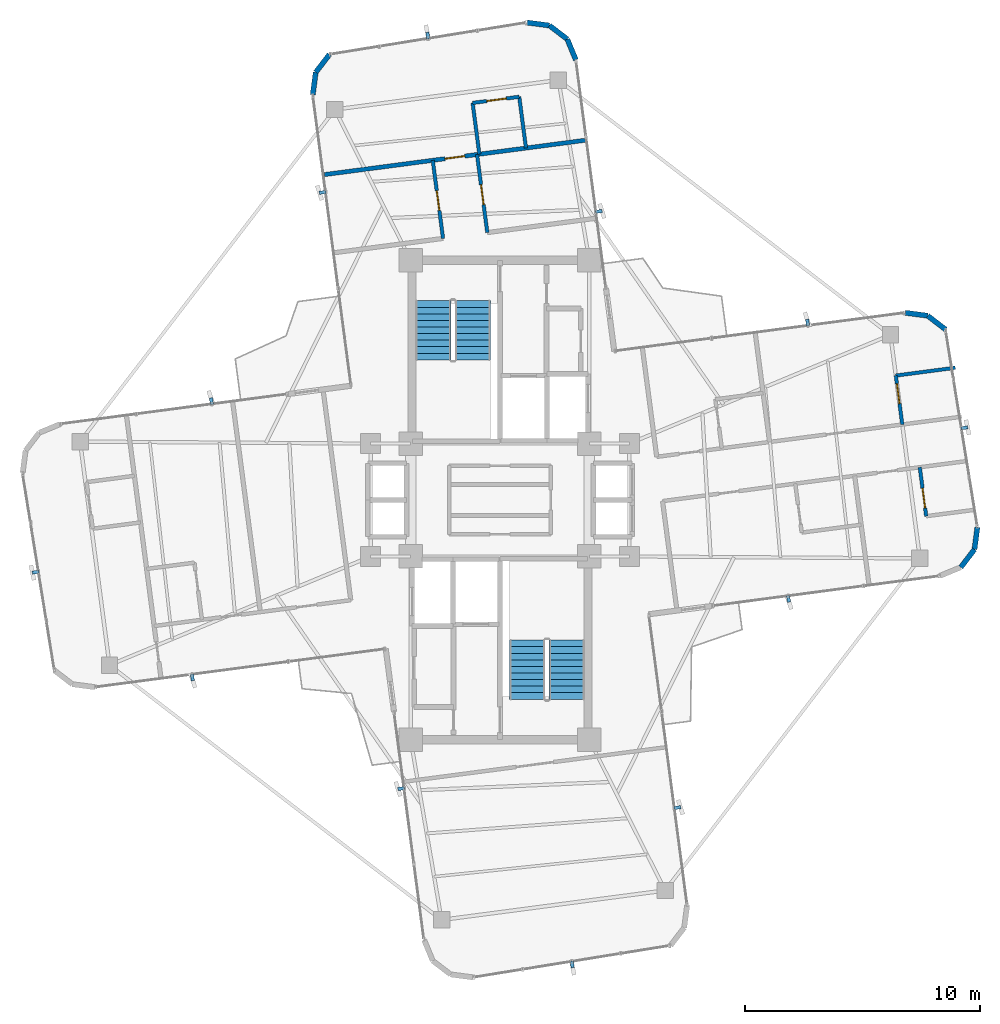
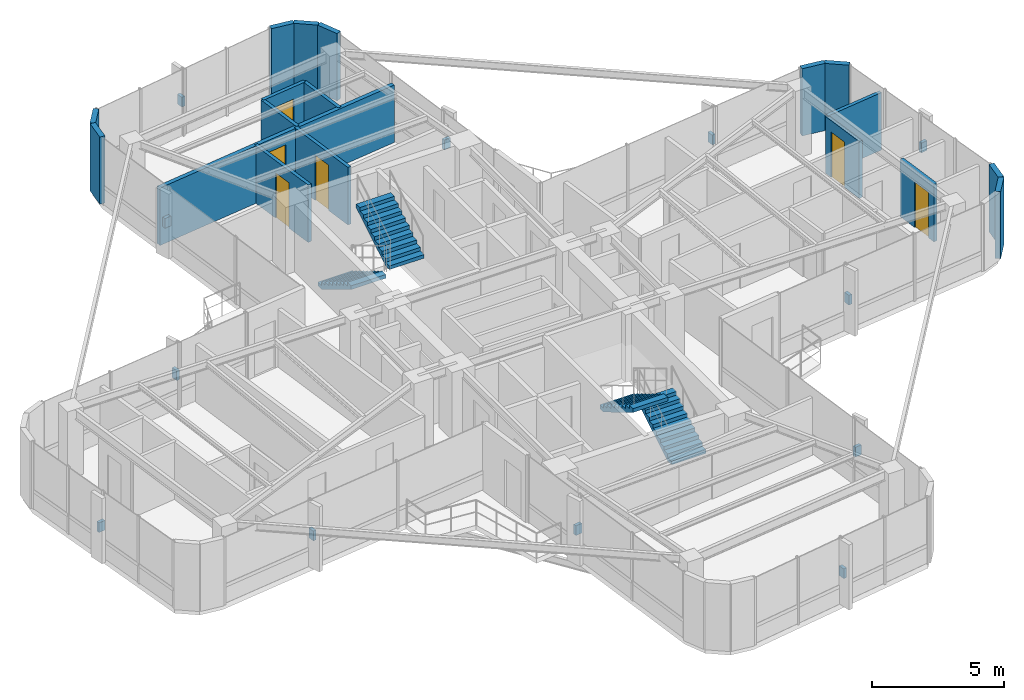
# One storey, part 20 of 21: 18 walls, 12 discrete accessories, 6 doors, 4 stair flights, 6 openings, 2 elements without a shape of their own.
"""IFC4 building model written with IfcOpenShell, lengths in metres."""

from ifc_helpers import new_model, si_unit, direction, frame, frame_2d, origin, origin_2d, place, context, subcontext, project, spatial, polyline, rectangle, outline, extrude, source, transform, mapped, material, layer, layer_set, type_object, element, fill, aggregate, save


model = new_model("IFC4")

# Units and contexts
model_context = context("Model", 3, precision=1e-05, world=origin(), true_north=direction((0.0, 1.0)))
body_context = subcontext(model_context, "Body", "Model", "MODEL_VIEW")
ifc_project = project(units=[si_unit("LENGTHUNIT", "METRE"), si_unit("AREAUNIT", "SQUARE_METRE"), si_unit("VOLUMEUNIT", "CUBIC_METRE"), si_unit("PLANEANGLEUNIT", "RADIAN"), si_unit("MASSUNIT", "GRAM", prefix="KILO")], contexts=[model_context])

# Site, building, storey
site_placement = place(None, origin())
site = spatial("IfcSite", under=ifc_project, at=site_placement, CompositionType="ELEMENT")
building_placement = place(site_placement, origin())
building = spatial("IfcBuilding", under=site, at=building_placement, Name="Sahyath Konkavel Grand Hotel", CompositionType="ELEMENT")
storey_placement = place(building_placement, frame((0.0, 0.0, 219.89990234375)))
storey = spatial("IfcBuildingStorey", under=building, at=storey_placement, Name="L61", CompositionType="ELEMENT", Elevation=219.89990234375)

# Walls
ifc_material_1 = material(Name="Warm Buff Sandstone Insulated Concrete C40/50", Category="masonry")
ifc_layer_1 = layer(ifc_material_1, 0.219970703125)
ifc_layer_set_1 = layer_set([ifc_layer_1], Name="Warm Buff Sandstone Insulated Concrete C40/50")
wall_type_1 = type_object("IfcWallType", Name="WLL-BALC-THRESH", PredefinedType="STANDARD", material=ifc_layer_set_1)
wall_1_placement = place(storey_placement, frame((19.603515625, -2.864013671875, 0.0), z_axis=(0.0, 0.0, 1.0), x_axis=(0.60865090536, 0.79343813584, 0.0)))
element("IfcWall", 1, at=wall_1_placement, inside=storey, type_object=wall_type_1, Name="L61 Rounded Corner Sandstone Pier 2", PredefinedType="STANDARD", context=body_context, shape_type="SweptSolid", body=[
    extrude(rectangle(XDim=0.957763671875, YDim=0.219970703125, at=frame_2d((0.47900390625, 0.0))), origin(), (0.0, 0.0, 1.0), 3.110107421875),
])
wall_2_placement = place(storey_placement, frame((20.1865234375, -2.10400390625, 0.0), z_axis=(0.0, 0.0, 1.0), x_axis=(0.13056005306, 0.991440402921, 0.0)))
element("IfcWall", 2, at=wall_2_placement, inside=storey, type_object=wall_type_1, Name="L61 Rounded Corner Sandstone Pier 3", PredefinedType="STANDARD", context=body_context, shape_type="SweptSolid", body=[
    extrude(rectangle(XDim=0.95751953125, YDim=0.219970703125, at=frame_2d((0.478759765625, 0.0))), origin(), (0.0, 0.0, 1.0), 3.110107421875),
])
for number, where, z_axis, x_axis, name in (
    (3, (18.9541015625, 7.257080078125, 0.0), (0.0, 0.0, 1.0), (-0.793343685778, 0.608774010809, 0.0), "L61 Rounded Corner Sandstone Pier 5"),
    (4, (18.1943359375, 7.840087890625, 0.0), (0.0, 0.0, 1.0), (-0.991444747987, 0.130527053476, 0.0), "L61 Rounded Corner Sandstone Pier 6"),
):
    element("IfcWall", number, at=place(storey_placement, frame(where, z_axis=z_axis, x_axis=x_axis)), inside=storey, type_object=wall_type_1, Name=name, PredefinedType="STANDARD", context=body_context, shape_type="SweptSolid", body=[
        extrude(rectangle(XDim=0.957763671875, YDim=0.219970703125, at=frame_2d((0.47900390625, 0.0))), origin(), (0.0, 0.0, 1.0), 3.110107421875),
    ])
wall_3_placement = place(storey_placement, frame((3.230224609375, 18.71875, 0.0), z_axis=(0.0, 0.0, 1.0), x_axis=(-0.382441868588, 0.923979554509, 0.0)))
element("IfcWall", 5, at=wall_3_placement, inside=storey, type_object=wall_type_1, Name="L61 Rounded Corner Sandstone Pier 9", PredefinedType="STANDARD", context=body_context, shape_type="SweptSolid", body=[
    extrude(rectangle(XDim=0.95751953125, YDim=0.219970703125, at=frame_2d((0.478759765625, 0.0))), origin(), (0.0, 0.0, 1.0), 3.110107421875),
])
wall_4_placement = place(storey_placement, frame((2.864013671875, 19.603515625, 0.0), z_axis=(0.0, 0.0, 1.0), x_axis=(-0.79343813584, 0.60865090536, 0.0)))
element("IfcWall", 6, at=wall_4_placement, inside=storey, type_object=wall_type_1, Name="L61 Rounded Corner Sandstone Pier 10", PredefinedType="STANDARD", context=body_context, shape_type="SweptSolid", body=[
    extrude(rectangle(XDim=0.957763671875, YDim=0.219970703125, at=frame_2d((0.47900390625, 0.0))), origin(), (0.0, 0.0, 1.0), 3.110107421875),
])
wall_5_placement = place(storey_placement, frame((2.10400390625, 20.1865234375, 0.0), z_axis=(0.0, 0.0, 1.0), x_axis=(-0.991440402921, 0.13056005306, 0.0)))
element("IfcWall", 7, at=wall_5_placement, inside=storey, type_object=wall_type_1, Name="L61 Rounded Corner Sandstone Pier 11", PredefinedType="STANDARD", context=body_context, shape_type="SweptSolid", body=[
    extrude(rectangle(XDim=0.95751953125, YDim=0.219970703125, at=frame_2d((0.478759765625, 0.0))), origin(), (0.0, 0.0, 1.0), 3.110107421875),
])
for number, where, z_axis, x_axis, name in (
    (8, (-7.257080078125, 18.9541015625, 0.0), (0.0, 0.0, 1.0), (-0.608774010809, -0.793343685778, 0.0), "L61 Rounded Corner Sandstone Pier 13"),
    (9, (-7.840087890625, 18.1943359375, 0.0), (0.0, 0.0, 1.0), (-0.130527053476, -0.991444747987, 0.0), "L61 Rounded Corner Sandstone Pier 14"),
):
    element("IfcWall", number, at=place(storey_placement, frame(where, z_axis=z_axis, x_axis=x_axis)), inside=storey, type_object=wall_type_1, Name=name, PredefinedType="STANDARD", context=body_context, shape_type="SweptSolid", body=[
        extrude(rectangle(XDim=0.957763671875, YDim=0.219970703125, at=frame_2d((0.47900390625, 0.0))), origin(), (0.0, 0.0, 1.0), 3.110107421875),
    ])

# Wall, opening, door
ifc_material_2 = material(Name="Twin-Stud Acoustic Gypsum Plasterboard Partition")
ifc_layer_2 = layer(ifc_material_2, 0.179931640625)
ifc_layer_set_2 = layer_set([ifc_layer_2], Name="Twin-Stud Acoustic Gypsum Plasterboard Partition")
wall_type_2 = type_object("IfcWallType", Name="WLL-DEMISE-180", PredefinedType="PARTITIONING", material=ifc_layer_set_2)
wall_6_placement = place(storey_placement, frame((3.62939453125, 15.3046875, 0.0), z_axis=(0.0, 0.0, 1.0), x_axis=(-0.991443749146, -0.130534640152, 0.0)))
wall_6 = element("IfcWall", 10, at=wall_6_placement, inside=storey, type_object=wall_type_2, Name="L61 Partition N-NTIP-END", PredefinedType="PARTITIONING", context=body_context, shape_type="SweptSolid", body=[
    extrude(rectangle(XDim=11.19189453125, YDim=0.179931640625, at=frame_2d((5.595947265625, 0.0))), origin(), (0.0, 0.0, 1.0), 2.66015625),
])
opening_1_placement = place(wall_6_placement, frame((5.1708984375, 0.0, 0.0)))
opening_1 = element("IfcOpeningElement", 11, at=opening_1_placement, cuts=wall_6, Name="Opening D-F06D", PredefinedType="OPENING", context=body_context, shape_type="SweptSolid", body=[
    extrude(rectangle(XDim=0.85009765625, YDim=2.10009765625, at=frame_2d((0.425048828125, 1.050048828125))), frame((0.0, 0.10009765625, 0.0), z_axis=(0.0, -1.0, 0.0), x_axis=(1.0, 0.0, 0.0)), (0.0, 0.0, 1.0), 0.199951171875),
])
ifc_material_3 = material(Name="Fire-Rated Shaft Access Door")
door_type_1 = type_object("IfcDoorType", Name="DR-FD60-850", OperationType="NOTDEFINED", PredefinedType="DOOR", material=ifc_material_3)
shared_shape_1 = source(origin(), body_context, "Body", "SweptSolid", [
    extrude(rectangle(XDim=0.85009765625, YDim=0.050048828125, at=origin_2d()), origin(), (0.0, 0.0, 1.0), 2.10009765625),
])
door_1_placement = place(opening_1_placement, frame((0.425048828125, 0.0, 0.0)))
door_1 = element("IfcDoor", 12, at=door_1_placement, inside=storey, type_object=door_type_1, Name="L61 Door N-NTIP-ED", OperationType="SINGLE_SWING_LEFT", OverallHeight=2.10009765625, OverallWidth=0.85009765625, PredefinedType="DOOR", context=body_context, shape_type="MappedRepresentation", body=[
    mapped(shared_shape_1, transform((0.0, 0.0, 0.0), scale=1.0)),
])
fill(opening_1, door_1)

ifc_material_4 = material(Name="Fire-Rated Gypsum Plasterboard Partition")
ifc_layer_3 = layer(ifc_material_4, 0.14990234375)
ifc_layer_set_3 = layer_set([ifc_layer_3], Name="Fire-Rated Gypsum Plasterboard Partition")
wall_type_3 = type_object("IfcWallType", Name="WLL-PART-150", PredefinedType="PARTITIONING", material=ifc_layer_set_3)
wall_7_placement = place(storey_placement, frame((17.1142578125, 3.211181640625, 0.0), z_axis=(0.0, 0.0, 1.0), x_axis=(-0.130541714651, 0.991442817683, 0.0)))
wall_7 = element("IfcWall", 13, at=wall_7_placement, inside=storey, type_object=wall_type_3, Name="L61 Partition E-E2L-BS", PredefinedType="PARTITIONING", context=body_context, shape_type="SweptSolid", body=[
    extrude(rectangle(XDim=2.100341796875, YDim=0.14990234375, at=frame_2d((1.05029296875, 0.0))), origin(), (0.0, 0.0, 1.0), 2.630126953125),
])
opening_2_placement = place(wall_7_placement, frame((0.89990234375, 0.0, 0.0)))
opening_2 = element("IfcOpeningElement", 14, at=opening_2_placement, cuts=wall_7, Name="Opening D-BT85", PredefinedType="OPENING", context=body_context, shape_type="SweptSolid", body=[
    extrude(rectangle(XDim=0.85009765625, YDim=2.10009765625, at=frame_2d((0.425048828125, 1.050048828125))), frame((0.0, 0.0849609375, 0.0), z_axis=(0.0, -1.0, 0.0), x_axis=(1.0, 0.0, 0.0)), (0.0, 0.0, 1.0), 0.169921875),
])
ifc_material_5 = material(Name="Moisture-Resistant Teak Bathroom Door")
door_type_2 = type_object("IfcDoorType", Name="DR-BATH-850", OperationType="NOTDEFINED", PredefinedType="DOOR", material=ifc_material_5)
door_2_placement = place(opening_2_placement, frame((0.425048828125, 0.0, 0.0)))
door_2 = element("IfcDoor", 15, at=door_2_placement, inside=storey, type_object=door_type_2, Name="L61 Door E-E2L-BD", OperationType="SINGLE_SWING_RIGHT", OverallHeight=2.10009765625, OverallWidth=0.85009765625, PredefinedType="DOOR", context=body_context, shape_type="MappedRepresentation", body=[
    mapped(shared_shape_1, transform((0.0, 0.0, 0.0), scale=1.0)),
])
fill(opening_2, door_2)

# Wall
wall_8_placement = place(storey_placement, frame((16.840087890625, 5.29345703125, 0.0), z_axis=(0.0, 0.0, 1.0), x_axis=(0.99144973294, 0.130489183661, 0.0)))
element("IfcWall", 16, at=wall_8_placement, inside=storey, type_object=wall_type_3, Name="L61 Partition E-E2L-BF", PredefinedType="PARTITIONING", context=body_context, shape_type="SweptSolid", body=[
    extrude(rectangle(XDim=2.550048828125, YDim=0.14990234375, at=frame_2d((1.27490234375, 0.0))), origin(), (0.0, 0.0, 1.0), 2.66015625),
])

# Wall, opening, door
wall_9_placement = place(storey_placement, frame((17.85791015625, 1.392822265625, 0.0), z_axis=(0.0, 0.0, 1.0), x_axis=(0.130556761174, -0.991440836415, 0.0)))
wall_9 = element("IfcWall", 17, at=wall_9_placement, inside=storey, type_object=wall_type_3, Name="L61 Partition E-E2R-BS", PredefinedType="PARTITIONING", context=body_context, shape_type="SweptSolid", body=[
    extrude(rectangle(XDim=2.10009765625, YDim=0.14990234375, at=frame_2d((1.050048828125, 0.0))), origin(), (0.0, 0.0, 1.0), 2.66015625),
])
opening_3_placement = place(wall_9_placement, frame((0.89990234375, 0.0, 0.0)))
opening_3 = element("IfcOpeningElement", 18, at=opening_3_placement, cuts=wall_9, Name="Opening D-BT85", PredefinedType="OPENING", context=body_context, shape_type="SweptSolid", body=[
    extrude(rectangle(XDim=0.85009765625, YDim=2.10009765625, at=frame_2d((0.425048828125, 1.050048828125))), frame((0.0, 0.0849609375, 0.0), z_axis=(0.0, -1.0, 0.0), x_axis=(1.0, 0.0, 0.0)), (0.0, 0.0, 1.0), 0.169921875),
])
door_3_placement = place(opening_3_placement, frame((0.425048828125, 0.0, 0.0)))
door_3 = element("IfcDoor", 19, at=door_3_placement, inside=storey, type_object=door_type_2, Name="L61 Door E-E2R-BD", OperationType="SINGLE_SWING_RIGHT", OverallHeight=2.10009765625, OverallWidth=0.85009765625, PredefinedType="DOOR", context=body_context, shape_type="MappedRepresentation", body=[
    mapped(shared_shape_1, transform((0.0, 0.0, 0.0), scale=1.0)),
])
fill(opening_3, door_3)

wall_10_placement = place(storey_placement, frame((-2.42333984375, 11.12890625, 0.0), z_axis=(0.0, 0.0, 1.0), x_axis=(-0.130526150873, 0.991444866817, 0.0)))
wall_10 = element("IfcWall", 20, at=wall_10_placement, inside=storey, type_object=wall_type_3, Name="L61 Partition N-CL", PredefinedType="PARTITIONING", context=body_context, shape_type="SweptSolid", body=[
    extrude(rectangle(XDim=3.349853515625, YDim=0.14990234375, at=frame_2d((1.6748046875, 0.0))), origin(), (0.0, 0.0, 1.0), 2.66015625),
])
opening_4_placement = place(wall_10_placement, frame((1.199951171875, 0.0, 0.0)))
opening_4 = element("IfcOpeningElement", 21, at=opening_4_placement, cuts=wall_10, Name="Opening D-F06D", PredefinedType="OPENING", context=body_context, shape_type="SweptSolid", body=[
    extrude(rectangle(XDim=0.85009765625, YDim=2.10009765625, at=frame_2d((0.425048828125, 1.050048828125))), frame((0.0, 0.0849609375, 0.0), z_axis=(0.0, -1.0, 0.0), x_axis=(1.0, 0.0, 0.0)), (0.0, 0.0, 1.0), 0.169921875),
])
door_4_placement = place(opening_4_placement, frame((0.425048828125, 0.0, 0.0)))
door_4 = element("IfcDoor", 22, at=door_4_placement, inside=storey, type_object=door_type_1, Name="L61 Door N-NS3L-D", OperationType="SINGLE_SWING_RIGHT", OverallHeight=2.10009765625, OverallWidth=0.85009765625, PredefinedType="DOOR", context=body_context, shape_type="MappedRepresentation", body=[
    mapped(shared_shape_1, transform((0.0, 0.0, 0.0), scale=1.0)),
])
fill(opening_4, door_4)

wall_11_placement = place(storey_placement, frame((-0.53955078125, 11.376953125, 0.0), z_axis=(0.0, 0.0, 1.0), x_axis=(-0.130526150873, 0.991444866817, 0.0)))
wall_11 = element("IfcWall", 23, at=wall_11_placement, inside=storey, type_object=wall_type_3, Name="L61 Partition N-CR", PredefinedType="PARTITIONING", context=body_context, shape_type="SweptSolid", body=[
    extrude(rectangle(XDim=3.349853515625, YDim=0.14990234375, at=frame_2d((1.6748046875, 0.0))), origin(), (0.0, 0.0, 1.0), 2.66015625),
])
opening_5_placement = place(wall_11_placement, frame((1.199951171875, 0.0, 0.0)))
opening_5 = element("IfcOpeningElement", 24, at=opening_5_placement, cuts=wall_11, Name="Opening D-F06D", PredefinedType="OPENING", context=body_context, shape_type="SweptSolid", body=[
    extrude(rectangle(XDim=0.85009765625, YDim=2.10009765625, at=frame_2d((0.425048828125, 1.050048828125))), frame((0.0, 0.0849609375, 0.0), z_axis=(0.0, -1.0, 0.0), x_axis=(1.0, 0.0, 0.0)), (0.0, 0.0, 1.0), 0.169921875),
])
door_5_placement = place(opening_5_placement, frame((0.425048828125, 0.0, 0.0)))
door_5 = element("IfcDoor", 25, at=door_5_placement, inside=storey, type_object=door_type_1, Name="L61 Door N-NS3R-D", OperationType="SINGLE_SWING_LEFT", OverallHeight=2.10009765625, OverallWidth=0.85009765625, PredefinedType="DOOR", context=body_context, shape_type="MappedRepresentation", body=[
    mapped(shared_shape_1, transform((0.0, 0.0, 0.0), scale=1.0)),
])
fill(opening_5, door_5)

# Walls
wall_12_placement = place(storey_placement, frame((-0.877685546875, 14.711181640625, 0.0), z_axis=(0.0, 0.0, 1.0), x_axis=(-0.130491827281, 0.991449384998, 0.0)))
element("IfcWall", 26, at=wall_12_placement, inside=storey, type_object=wall_type_3, Name="L61 Partition N-NTIP-BN", PredefinedType="PARTITIONING", context=body_context, shape_type="SweptSolid", body=[
    extrude(rectangle(XDim=2.2001953125, YDim=0.14990234375, at=frame_2d((1.10009765625, 0.0))), origin(), (0.0, 0.0, 1.0), 2.66015625),
])
wall_13_placement = place(storey_placement, frame((1.105224609375, 14.972412109375, 0.0), z_axis=(0.0, 0.0, 1.0), x_axis=(-0.130506184728, 0.991447495205, 0.0)))
element("IfcWall", 27, at=wall_13_placement, inside=storey, type_object=wall_type_3, Name="L61 Partition N-NTIP-BS", PredefinedType="PARTITIONING", context=body_context, shape_type="SweptSolid", body=[
    extrude(rectangle(XDim=2.199951171875, YDim=0.14990234375, at=frame_2d((1.10009765625, 0.0))), origin(), (0.0, 0.0, 1.0), 2.66015625),
])

# Wall, opening, door
wall_14_placement = place(storey_placement, frame((0.818115234375, 17.153564453125, 0.0), z_axis=(0.0, 0.0, 1.0), x_axis=(-0.991449308994, -0.130492404742, 0.0)))
wall_14 = element("IfcWall", 28, at=wall_14_placement, inside=storey, type_object=wall_type_3, Name="L61 Partition N-NTIP-BE", PredefinedType="PARTITIONING", context=body_context, shape_type="SweptSolid", body=[
    extrude(rectangle(XDim=2.0, YDim=0.14990234375, at=frame_2d((1.0, 0.0))), origin(), (0.0, 0.0, 1.0), 2.66015625),
])
opening_6_placement = place(wall_14_placement, frame((0.550048828125, 0.0, 0.0)))
opening_6 = element("IfcOpeningElement", 29, at=opening_6_placement, cuts=wall_14, Name="Opening D-BT85", PredefinedType="OPENING", context=body_context, shape_type="SweptSolid", body=[
    extrude(rectangle(XDim=0.85009765625, YDim=2.10009765625, at=frame_2d((0.425048828125, 1.050048828125))), frame((0.0, 0.0849609375, 0.0), z_axis=(0.0, -1.0, 0.0), x_axis=(1.0, 0.0, 0.0)), (0.0, 0.0, 1.0), 0.169921875),
])
door_6_placement = place(opening_6_placement, frame((0.425048828125, 0.0, 0.0)))
door_6 = element("IfcDoor", 30, at=door_6_placement, inside=storey, type_object=door_type_2, Name="L61 Door N-NTIP-BD", OperationType="SINGLE_SWING_RIGHT", OverallHeight=2.10009765625, OverallWidth=0.85009765625, PredefinedType="DOOR", context=body_context, shape_type="MappedRepresentation", body=[
    mapped(shared_shape_1, transform((0.0, 0.0, 0.0), scale=1.0)),
])
fill(opening_6, door_6)

# Stair, stair flights
ifc_material_6 = material(Name="Concrete C40/50", Category="concrete")
stair_type = type_object("IfcStairType", Name="STR-ST16-335", PredefinedType="HALF_TURN_STAIR", material=ifc_material_6)
stair_1_placement = place(storey_placement, origin())
stair_1 = element("IfcStair", 31, at=stair_1_placement, inside=storey, type_object=stair_type, Name="L61 North Core Smokeproof Exit Stair ST-1", PredefinedType="HALF_TURN_STAIR")
stair_flight_type = type_object("IfcStairFlightType", Name="STF-ST16-335", PredefinedType="STRAIGHT", material=ifc_material_6)
stair_flight_1_placement = place(storey_placement, frame((-2.840087890625, 8.47998046875, 0.0), z_axis=(0.0, 0.0, 1.0), x_axis=(0.0, -1.0, 0.0)))
stair_flight_1 = element("IfcStairFlight", 32, at=stair_flight_1_placement, type_object=stair_flight_type, Name="ST-1 flight 1", NumberOfRisers=10, NumberOfTreads=9, PredefinedType="STRAIGHT", RiserHeight=0.1675, TreadLength=0.28, context=body_context, shape_type="SweptSolid", body=[
    extrude(outline(polyline([(0.0, 0.0), (0.0, 0.16748046875), (0.280029296875, 0.16748046875), (0.280029296875, 0.3349609375), (0.56005859375, 0.3349609375), (0.56005859375, 0.50244140625), (0.840087890625, 0.50244140625), (0.840087890625, 0.669921875), (1.1201171875, 0.669921875), (1.1201171875, 0.83740234375), (1.39990234375, 0.83740234375), (1.39990234375, 1.0048828125), (1.679931640625, 1.0048828125), (1.679931640625, 1.172607421875), (1.9599609375, 1.172607421875), (1.9599609375, 1.340087890625), (2.239990234375, 1.340087890625), (2.239990234375, 1.507568359375), (2.52001953125, 1.507568359375), (2.52001953125, 1.675048828125), (2.52001953125, 1.332763671875), (0.2919921875, 0.0), (0.0, 0.0)])), frame((0.0, 0.760009765625, 0.0), z_axis=(0.0, -1.0, 0.0), x_axis=(1.0, 0.0, 0.0)), (0.0, 0.0, 1.0), 1.52001953125),
])
stair_flight_2_placement = place(storey_placement, frame((-1.159912109375, 5.9599609375, 1.675048828125), z_axis=(0.0, 0.0, 1.0), x_axis=(0.0, 1.0, 0.0)))
stair_flight_2 = element("IfcStairFlight", 33, at=stair_flight_2_placement, type_object=stair_flight_type, Name="ST-1 flight 2", NumberOfRisers=10, NumberOfTreads=9, PredefinedType="STRAIGHT", RiserHeight=0.1675, TreadLength=0.28, context=body_context, shape_type="SweptSolid", body=[
    extrude(outline(polyline([(0.0, 0.0), (0.0, 0.16748046875), (0.280029296875, 0.16748046875), (0.280029296875, 0.3349609375), (0.56005859375, 0.3349609375), (0.56005859375, 0.50244140625), (0.840087890625, 0.50244140625), (0.840087890625, 0.669921875), (1.1201171875, 0.669921875), (1.1201171875, 0.83740234375), (1.39990234375, 0.83740234375), (1.39990234375, 1.0048828125), (1.679931640625, 1.0048828125), (1.679931640625, 1.172607421875), (1.9599609375, 1.172607421875), (1.9599609375, 1.340087890625), (2.239990234375, 1.340087890625), (2.239990234375, 1.507568359375), (2.52001953125, 1.507568359375), (2.52001953125, 1.675048828125), (2.52001953125, 1.332763671875), (0.2919921875, 0.0), (0.0, 0.0)])), frame((0.0, 0.760009765625, 0.0), z_axis=(0.0, -1.0, 0.0), x_axis=(1.0, 0.0, 0.0)), (0.0, 0.0, 1.0), 1.52001953125),
])
aggregate(stair_1, [stair_flight_1, stair_flight_2])

stair_2_placement = place(storey_placement, origin())
stair_2 = element("IfcStair", 34, at=stair_2_placement, inside=storey, type_object=stair_type, Name="L61 South Core Smokeproof Exit Stair ST-2", PredefinedType="HALF_TURN_STAIR")
stair_flight_3_placement = place(storey_placement, frame((2.840087890625, -8.47998046875, 0.0), z_axis=(0.0, 0.0, 1.0), x_axis=(0.0, 1.0, 0.0)))
stair_flight_3 = element("IfcStairFlight", 35, at=stair_flight_3_placement, type_object=stair_flight_type, Name="ST-2 flight 1", NumberOfRisers=10, NumberOfTreads=9, PredefinedType="STRAIGHT", RiserHeight=0.1675, TreadLength=0.28, context=body_context, shape_type="SweptSolid", body=[
    extrude(outline(polyline([(0.0, 0.0), (0.0, 0.16748046875), (0.280029296875, 0.16748046875), (0.280029296875, 0.3349609375), (0.56005859375, 0.3349609375), (0.56005859375, 0.50244140625), (0.840087890625, 0.50244140625), (0.840087890625, 0.669921875), (1.1201171875, 0.669921875), (1.1201171875, 0.83740234375), (1.39990234375, 0.83740234375), (1.39990234375, 1.0048828125), (1.679931640625, 1.0048828125), (1.679931640625, 1.172607421875), (1.9599609375, 1.172607421875), (1.9599609375, 1.340087890625), (2.239990234375, 1.340087890625), (2.239990234375, 1.507568359375), (2.52001953125, 1.507568359375), (2.52001953125, 1.675048828125), (2.52001953125, 1.332763671875), (0.2919921875, 0.0), (0.0, 0.0)])), frame((0.0, 0.760009765625, 0.0), z_axis=(0.0, -1.0, 0.0), x_axis=(1.0, 0.0, 0.0)), (0.0, 0.0, 1.0), 1.52001953125),
])
stair_flight_4_placement = place(storey_placement, frame((1.159912109375, -5.9599609375, 1.675048828125), z_axis=(0.0, 0.0, 1.0), x_axis=(0.0, -1.0, 0.0)))
stair_flight_4 = element("IfcStairFlight", 36, at=stair_flight_4_placement, type_object=stair_flight_type, Name="ST-2 flight 2", NumberOfRisers=10, NumberOfTreads=9, PredefinedType="STRAIGHT", RiserHeight=0.1675, TreadLength=0.28, context=body_context, shape_type="SweptSolid", body=[
    extrude(outline(polyline([(0.0, 0.0), (0.0, 0.16748046875), (0.280029296875, 0.16748046875), (0.280029296875, 0.3349609375), (0.56005859375, 0.3349609375), (0.56005859375, 0.50244140625), (0.840087890625, 0.50244140625), (0.840087890625, 0.669921875), (1.1201171875, 0.669921875), (1.1201171875, 0.83740234375), (1.39990234375, 0.83740234375), (1.39990234375, 1.0048828125), (1.679931640625, 1.0048828125), (1.679931640625, 1.172607421875), (1.9599609375, 1.172607421875), (1.9599609375, 1.340087890625), (2.239990234375, 1.340087890625), (2.239990234375, 1.507568359375), (2.52001953125, 1.507568359375), (2.52001953125, 1.675048828125), (2.52001953125, 1.332763671875), (0.2919921875, 0.0), (0.0, 0.0)])), frame((0.0, 0.760009765625, 0.0), z_axis=(0.0, -1.0, 0.0), x_axis=(1.0, 0.0, 0.0)), (0.0, 0.0, 1.0), 1.52001953125),
])
aggregate(stair_2, [stair_flight_3, stair_flight_4])

# Discrete accessories
ifc_material_7 = material(Name="Steel E350", Category="steel")
discrete_accessory_type = type_object("IfcDiscreteAccessoryType", Name="ACC-FIN-BRACKET", PredefinedType="BRACKET", material=ifc_material_7)
shared_shape_2 = source(origin(), body_context, "Body", "SweptSolid", [
    extrude(rectangle(XDim=0.280029296875, YDim=0.139892578125, at=origin_2d()), origin(), (0.0, 0.0, 1.0), 0.449951171875),
])
for number, where, z_axis, x_axis, name in (
    (37, (12.277587890625, -4.20947265625, 1.330078125), (0.0, 0.0, 1.0), (0.13052619222, -0.991444861374, 0.0), "L61 Fin Support Bracket F0-1"),
    (38, (19.760986328125, 3.072021484375, 1.330078125), (0.0, 0.0, 1.0), (0.987228186291, 0.159312611531, 0.0), "L61 Fin Support Bracket F4-2"),
    (39, (13.086669921875, 7.548828125, 1.330078125), (0.0, 0.0, 1.0), (-0.13052619222, 0.991444861374, 0.0), "L61 Fin Support Bracket F7-1"),
    (40, (4.20947265625, 12.277587890625, 1.330078125), (0.0, 0.0, 1.0), (0.991444861374, 0.13052619222, 0.0), "L61 Fin Support Bracket F8-1"),
    (41, (-3.072021484375, 19.760986328125, 1.330078125), (0.0, 0.0, 1.0), (-0.159312611531, 0.987228186291, 0.0), "L61 Fin Support Bracket F12-2"),
    (42, (-7.548828125, 13.086669921875, 1.330078125), (0.0, 0.0, 1.0), (-0.991444861374, -0.13052619222, 0.0), "L61 Fin Support Bracket F15-1"),
    (43, (-12.277587890625, 4.20947265625, 1.330078125), (0.0, 0.0, 1.0), (-0.13052619222, 0.991444861374, 0.0), "L61 Fin Support Bracket F16-1"),
    (44, (-19.760986328125, -3.072021484375, 1.330078125), (0.0, 0.0, 1.0), (-0.987228186291, -0.159312611531, 0.0), "L61 Fin Support Bracket F20-2"),
    (45, (-13.086669921875, -7.548828125, 1.330078125), (0.0, 0.0, 1.0), (0.13052619222, -0.991444861374, 0.0), "L61 Fin Support Bracket F23-1"),
    (46, (-4.20947265625, -12.277587890625, 1.330078125), (0.0, 0.0, 1.0), (-0.991444861374, -0.13052619222, 0.0), "L61 Fin Support Bracket F24-1"),
    (47, (3.072021484375, -19.760986328125, 1.330078125), (0.0, 0.0, 1.0), (0.159312611531, -0.987228186291, 0.0), "L61 Fin Support Bracket F28-2"),
    (48, (7.548828125, -13.086669921875, 1.330078125), (0.0, 0.0, 1.0), (0.991444861374, 0.13052619222, 0.0), "L61 Fin Support Bracket F31-1"),
):
    element("IfcDiscreteAccessory", number, at=place(storey_placement, frame(where, z_axis=z_axis, x_axis=x_axis)), inside=storey, type_object=discrete_accessory_type, Name=name, PredefinedType="BRACKET", context=body_context, shape_type="MappedRepresentation", body=[
        mapped(shared_shape_2, transform((0.0, 0.0, 0.0), scale=1.0)),
    ])

save(model, "model.ifc")
